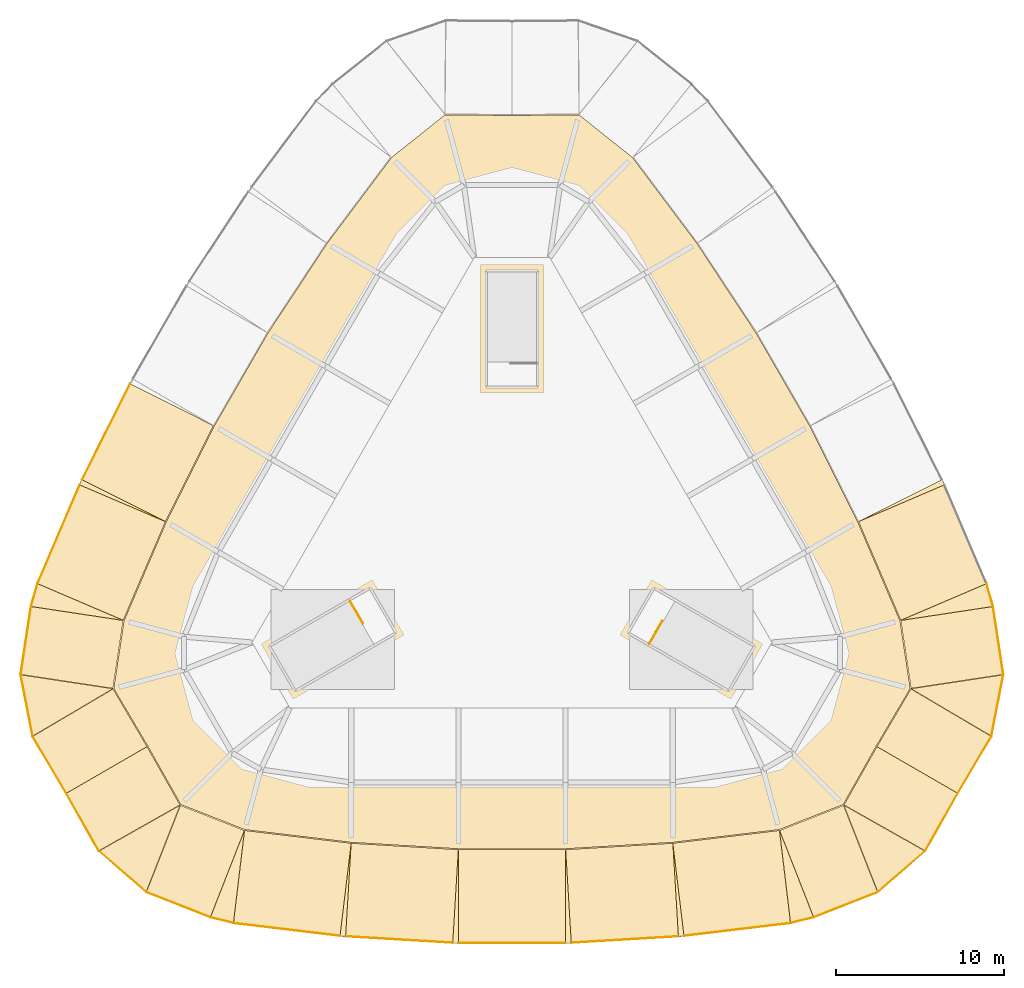
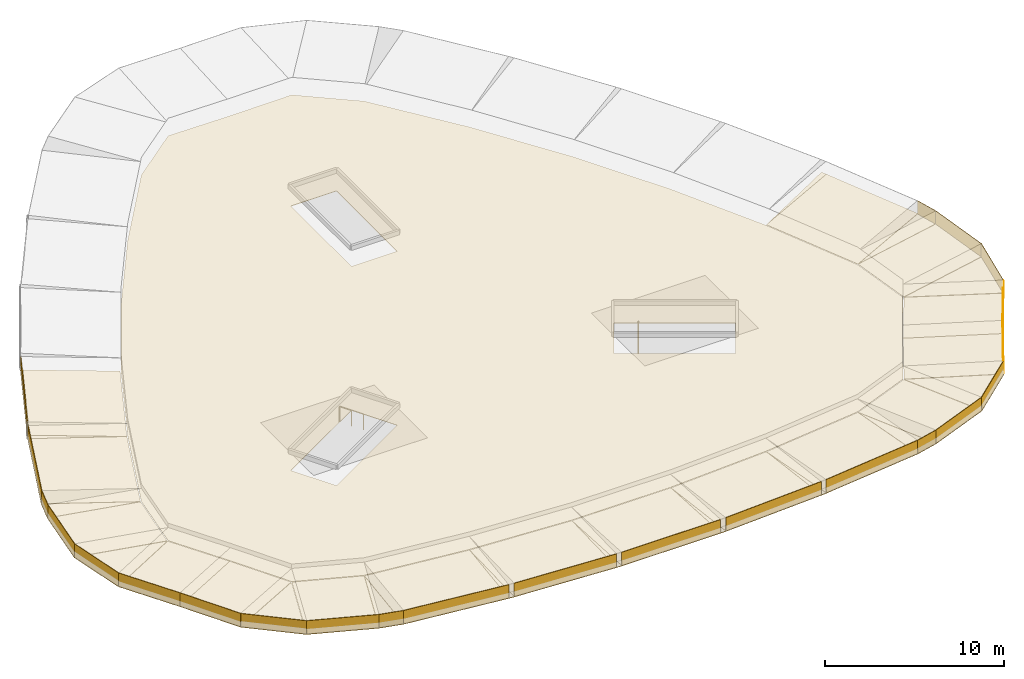
# One storey, part 4 of 9: 54 coverings, 2 railings.
"""IFC4 building model written with IfcOpenShell, lengths in metres."""

from ifc_helpers import new_model, si_unit, direction, frame, origin, origin_2d, place, context, subcontext, project, spatial, polyline, rectangle, circle, outline, extrude, material, layer, layer_set, type_object, element, save


model = new_model("IFC4")

# Units and contexts
model_context = context("Model", 3, precision=1e-05, world=origin(), true_north=direction((0.0, 1.0)))
body_context = subcontext(model_context, "Body", "Model", "MODEL_VIEW")
ifc_project = project(units=[si_unit("LENGTHUNIT", "METRE"), si_unit("AREAUNIT", "SQUARE_METRE"), si_unit("VOLUMEUNIT", "CUBIC_METRE"), si_unit("PLANEANGLEUNIT", "RADIAN"), si_unit("MASSUNIT", "GRAM", prefix="KILO")], contexts=[model_context])

# Site, building, storey
site_placement = place(None, origin())
site = spatial("IfcSite", under=ifc_project, at=site_placement, CompositionType="ELEMENT")
building_placement = place(site_placement, origin())
building = spatial("IfcBuilding", under=site, at=building_placement, Name="Mestral Congress Tower", CompositionType="ELEMENT")
storey_placement = place(building_placement, frame((0.0, 0.0, 348.60009765625)))
storey = spatial("IfcBuildingStorey", under=building, at=storey_placement, Name="L81", CompositionType="ELEMENT", Elevation=348.60009765625)

# Coverings
ifc_material_1 = material(Name="Larch timber", Category="wood")
ifc_layer_1 = layer(ifc_material_1, 0.030029296875)
ifc_layer_set_1 = layer_set([ifc_layer_1], Name="Larch timber")
covering_type_1 = type_object("IfcCoveringType", Name="Crown canopy timber fascia 30", PredefinedType="CLADDING", material=ifc_layer_set_1)
covering_1_placement = place(storey_placement, frame((-17.2998046875, -22.913330078125, 0.320068359375), z_axis=(0.0, 0.0, 1.0), x_axis=(0.969772440315, -0.244011094022, 0.0)))
element("IfcCovering", 1, at=covering_1_placement, inside=storey, type_object=covering_type_1, Name="Canopy fascia 1", PredefinedType="CLADDING", context=body_context, shape_type="SweptSolid", body=[
    extrude(rectangle(XDim=1.42041015625, YDim=0.030029296875, at=origin_2d()), origin(), (0.0, 0.0, 1.0), 0.89990234375),
])
covering_2_placement = place(storey_placement, frame((-13.432373046875, -23.468017578125, 0.320068359375), z_axis=(0.0, 0.0, 1.0), x_axis=(0.992888215789, -0.119050371472, 0.0)))
element("IfcCovering", 2, at=covering_2_placement, inside=storey, type_object=covering_type_1, Name="Canopy fascia 2", PredefinedType="CLADDING", context=body_context, shape_type="SweptSolid", body=[
    extrude(rectangle(XDim=6.39892578125, YDim=0.030029296875, at=origin_2d()), origin(), (0.0, 0.0, 1.0), 0.89990234375),
])
covering_3_placement = place(storey_placement, frame((-6.72802734375, -24.069580078125, 0.320068359375), z_axis=(0.0, 0.0, 1.0), x_axis=(0.998221251071, -0.05961823471, 0.0)))
element("IfcCovering", 3, at=covering_3_placement, inside=storey, type_object=covering_type_1, Name="Canopy fascia 4", PredefinedType="CLADDING", context=body_context, shape_type="SweptSolid", body=[
    extrude(rectangle(XDim=6.399169921875, YDim=0.030029296875, at=origin_2d()), origin(), (0.0, 0.0, 1.0), 0.89990234375),
])
covering_4_placement = place(storey_placement, frame((0.0, -24.270263671875, 0.320068359375), z_axis=(0.0, 0.0, 1.0), x_axis=(1.0, 0.0, 0.0)))
element("IfcCovering", 4, at=covering_4_placement, inside=storey, type_object=covering_type_1, Name="Canopy fascia 6", PredefinedType="CLADDING", context=body_context, shape_type="SweptSolid", body=[
    extrude(rectangle(XDim=6.39892578125, YDim=0.030029296875, at=origin_2d()), origin(), (0.0, 0.0, 1.0), 0.89990234375),
])
covering_5_placement = place(storey_placement, frame((6.72802734375, -24.069580078125, 0.320068359375), z_axis=(0.0, 0.0, 1.0), x_axis=(0.998221251071, 0.05961823471, 0.0)))
element("IfcCovering", 5, at=covering_5_placement, inside=storey, type_object=covering_type_1, Name="Canopy fascia 8", PredefinedType="CLADDING", context=body_context, shape_type="SweptSolid", body=[
    extrude(rectangle(XDim=6.399169921875, YDim=0.030029296875, at=origin_2d()), origin(), (0.0, 0.0, 1.0), 0.89990234375),
])
covering_6_placement = place(storey_placement, frame((13.432373046875, -23.468017578125, 0.320068359375), z_axis=(0.0, 0.0, 1.0), x_axis=(0.992888215789, 0.119050371472, 0.0)))
element("IfcCovering", 6, at=covering_6_placement, inside=storey, type_object=covering_type_1, Name="Canopy fascia 10", PredefinedType="CLADDING", context=body_context, shape_type="SweptSolid", body=[
    extrude(rectangle(XDim=6.39892578125, YDim=0.030029296875, at=origin_2d()), origin(), (0.0, 0.0, 1.0), 0.89990234375),
])
covering_7_placement = place(storey_placement, frame((17.2998046875, -22.913330078125, 0.320068359375), z_axis=(0.0, 0.0, 1.0), x_axis=(0.969772440315, 0.244011094022, 0.0)))
element("IfcCovering", 7, at=covering_7_placement, inside=storey, type_object=covering_type_1, Name="Canopy fascia 11", PredefinedType="CLADDING", context=body_context, shape_type="SweptSolid", body=[
    extrude(rectangle(XDim=1.42041015625, YDim=0.030029296875, at=origin_2d()), origin(), (0.0, 0.0, 1.0), 0.89990234375),
])
covering_8_placement = place(storey_placement, frame((19.897216796875, -21.99169921875, 0.320068359375), z_axis=(0.0, 0.0, 1.0), x_axis=(0.930995304203, 0.365031154222, 0.0)))
element("IfcCovering", 8, at=covering_8_placement, inside=storey, type_object=covering_type_1, Name="Canopy fascia 12", PredefinedType="CLADDING", context=body_context, shape_type="SweptSolid", body=[
    extrude(rectangle(XDim=4.096435546875, YDim=0.030029296875, at=origin_2d()), origin(), (0.0, 0.0, 1.0), 0.89990234375),
])
covering_9_placement = place(storey_placement, frame((23.224365234375, -20.011474609375, 0.320068359375), z_axis=(0.0, 0.0, 1.0), x_axis=(0.754961433164, 0.655769192959, 0.0)))
element("IfcCovering", 9, at=covering_9_placement, inside=storey, type_object=covering_type_1, Name="Canopy fascia 13", PredefinedType="CLADDING", context=body_context, shape_type="SweptSolid", body=[
    extrude(rectangle(XDim=3.751220703125, YDim=0.030029296875, at=origin_2d()), origin(), (0.0, 0.0, 1.0), 0.89990234375),
])
for number, where, z_axis, x_axis, name in (
    (10, (25.612548828125, -17.06201171875, 0.320068359375), (0.0, 0.0, 1.0), (0.491715516632, 0.870755907647, 0.0), "Canopy fascia 14"),
    (11, (27.58251953125, -13.64990234375, 0.320068359375), (0.0, 0.0, 1.0), (0.508240481307, 0.861215195617, 0.0), "Canopy fascia 16"),
):
    element("IfcCovering", number, at=place(storey_placement, frame(where, z_axis=z_axis, x_axis=x_axis)), inside=storey, type_object=covering_type_1, Name=name, PredefinedType="CLADDING", context=body_context, shape_type="SweptSolid", body=[
        extrude(rectangle(XDim=3.940185546875, YDim=0.030029296875, at=origin_2d()), origin(), (0.0, 0.0, 1.0), 0.89990234375),
    ])
covering_10_placement = place(storey_placement, frame((28.942626953125, -10.107177734375, 0.320068359375), z_axis=(0.0, 0.0, 1.0), x_axis=(0.19043206354, 0.981700376478, 0.0)))
element("IfcCovering", 12, at=covering_10_placement, inside=storey, type_object=covering_type_1, Name="Canopy fascia 17", PredefinedType="CLADDING", context=body_context, shape_type="SweptSolid", body=[
    extrude(rectangle(XDim=3.751220703125, YDim=0.030029296875, at=origin_2d()), origin(), (0.0, 0.0, 1.0), 0.89990234375),
])
covering_11_placement = place(storey_placement, frame((28.994140625, -6.235595703125, 0.320068359375), z_axis=(0.0, 0.0, 1.0), x_axis=(-0.149376576617, 0.988780379234, 0.0)))
element("IfcCovering", 13, at=covering_11_placement, inside=storey, type_object=covering_type_1, Name="Canopy fascia 18", PredefinedType="CLADDING", context=body_context, shape_type="SweptSolid", body=[
    extrude(rectangle(XDim=4.096435546875, YDim=0.030029296875, at=origin_2d()), origin(), (0.0, 0.0, 1.0), 0.89990234375),
])
covering_12_placement = place(storey_placement, frame((28.493408203125, -3.525390625, 0.320068359375), z_axis=(0.0, 0.0, 1.0), x_axis=(-0.273574807671, 0.96185072886, 0.0)))
element("IfcCovering", 14, at=covering_12_placement, inside=storey, type_object=covering_type_1, Name="Canopy fascia 19", PredefinedType="CLADDING", context=body_context, shape_type="SweptSolid", body=[
    extrude(rectangle(XDim=1.42041015625, YDim=0.030029296875, at=origin_2d()), origin(), (0.0, 0.0, 1.0), 0.89990234375),
])
for number, where, z_axis, x_axis, name in (
    (15, (-24.208984375, 6.2080078125, 0.320068359375), (0.0, 0.0, 1.0), (-0.447464111303, -0.894301889239, 0.0), "Canopy fascia 44"),
    (16, (-27.039794921875, 0.101318359375, 0.320068359375), (0.0, 0.0, 1.0), (-0.393354694328, -0.919386798062, 0.0), "Canopy fascia 46"),
):
    element("IfcCovering", number, at=place(storey_placement, frame(where, z_axis=z_axis, x_axis=x_axis)), inside=storey, type_object=covering_type_1, Name=name, PredefinedType="CLADDING", context=body_context, shape_type="SweptSolid", body=[
        extrude(rectangle(XDim=6.39892578125, YDim=0.030029296875, at=origin_2d()), origin(), (0.0, 0.0, 1.0), 0.89990234375),
    ])
covering_13_placement = place(storey_placement, frame((-28.493408203125, -3.525390625, 0.320068359375), z_axis=(0.0, 0.0, 1.0), x_axis=(-0.273574807671, -0.96185072886, 0.0)))
element("IfcCovering", 17, at=covering_13_placement, inside=storey, type_object=covering_type_1, Name="Canopy fascia 47", PredefinedType="CLADDING", context=body_context, shape_type="SweptSolid", body=[
    extrude(rectangle(XDim=1.42041015625, YDim=0.030029296875, at=origin_2d()), origin(), (0.0, 0.0, 1.0), 0.89990234375),
])
covering_14_placement = place(storey_placement, frame((-28.994140625, -6.235595703125, 0.320068359375), z_axis=(0.0, 0.0, 1.0), x_axis=(-0.149376576617, -0.988780379234, 0.0)))
element("IfcCovering", 18, at=covering_14_placement, inside=storey, type_object=covering_type_1, Name="Canopy fascia 48", PredefinedType="CLADDING", context=body_context, shape_type="SweptSolid", body=[
    extrude(rectangle(XDim=4.096435546875, YDim=0.030029296875, at=origin_2d()), origin(), (0.0, 0.0, 1.0), 0.89990234375),
])
covering_15_placement = place(storey_placement, frame((-28.942626953125, -10.107177734375, 0.320068359375), z_axis=(0.0, 0.0, 1.0), x_axis=(0.19043206354, -0.981700376478, 0.0)))
element("IfcCovering", 19, at=covering_15_placement, inside=storey, type_object=covering_type_1, Name="Canopy fascia 49", PredefinedType="CLADDING", context=body_context, shape_type="SweptSolid", body=[
    extrude(rectangle(XDim=3.751220703125, YDim=0.030029296875, at=origin_2d()), origin(), (0.0, 0.0, 1.0), 0.89990234375),
])
for number, where, z_axis, x_axis, name in (
    (20, (-27.58251953125, -13.64990234375, 0.320068359375), (0.0, 0.0, 1.0), (0.508240481307, -0.861215195617, 0.0), "Canopy fascia 50"),
    (21, (-25.612548828125, -17.06201171875, 0.320068359375), (0.0, 0.0, 1.0), (0.491715516632, -0.870755907647, 0.0), "Canopy fascia 52"),
):
    element("IfcCovering", number, at=place(storey_placement, frame(where, z_axis=z_axis, x_axis=x_axis)), inside=storey, type_object=covering_type_1, Name=name, PredefinedType="CLADDING", context=body_context, shape_type="SweptSolid", body=[
        extrude(rectangle(XDim=3.940185546875, YDim=0.030029296875, at=origin_2d()), origin(), (0.0, 0.0, 1.0), 0.89990234375),
    ])
covering_16_placement = place(storey_placement, frame((-23.224365234375, -20.011474609375, 0.320068359375), z_axis=(0.0, 0.0, 1.0), x_axis=(0.754961433164, -0.655769192959, 0.0)))
element("IfcCovering", 22, at=covering_16_placement, inside=storey, type_object=covering_type_1, Name="Canopy fascia 53", PredefinedType="CLADDING", context=body_context, shape_type="SweptSolid", body=[
    extrude(rectangle(XDim=3.751220703125, YDim=0.030029296875, at=origin_2d()), origin(), (0.0, 0.0, 1.0), 0.89990234375),
])
covering_17_placement = place(storey_placement, frame((-19.897216796875, -21.99169921875, 0.320068359375), z_axis=(0.0, 0.0, 1.0), x_axis=(0.930995304203, -0.365031154222, 0.0)))
element("IfcCovering", 23, at=covering_17_placement, inside=storey, type_object=covering_type_1, Name="Canopy fascia 54", PredefinedType="CLADDING", context=body_context, shape_type="SweptSolid", body=[
    extrude(rectangle(XDim=4.096435546875, YDim=0.030029296875, at=origin_2d()), origin(), (0.0, 0.0, 1.0), 0.89990234375),
])
ifc_layer_2 = layer(ifc_material_1, 0.030029296875)
ifc_layer_set_2 = layer_set([ifc_layer_2], Name="Larch timber")
covering_type_2 = type_object("IfcCoveringType", Name="Crown canopy timber soffit 30", PredefinedType="CLADDING", material=ifc_layer_set_2)
covering_18_placement = place(storey_placement, frame((0.0, 0.0, -0.030029296875)))
element("IfcCovering", 24, at=covering_18_placement, inside=storey, type_object=covering_type_2, Name="Canopy soffit centre", PredefinedType="CLADDING", context=body_context, shape_type="SweptSolid", body=[
    extrude(outline(polyline([(-15.940673828125, -17.511962890625), (-9.587158203125, -18.273681640625), (-3.199462890625, -18.6552734375), (3.199462890625, -18.6552734375), (9.587158203125, -18.273681640625), (15.940673828125, -17.511962890625), (19.75439453125, -16.0166015625), (21.71826171875, -12.5390625), (23.748046875, -9.099609375), (23.135986328125, -5.049072265625), (20.618896484375, 0.833984375), (17.755615234375, 6.556640625), (14.55615234375, 12.098388671875), (11.031982421875, 17.439697265625), (7.1953125, 22.56103515625), (3.993408203125, 25.1162109375), (0.0, 25.078125), (-3.993408203125, 25.1162109375), (-7.1953125, 22.56103515625), (-11.031982421875, 17.439697265625), (-14.55615234375, 12.098388671875), (-17.755615234375, 6.556640625), (-20.618896484375, 0.833984375), (-23.135986328125, -5.049072265625), (-23.748046875, -9.099609375), (-21.71826171875, -12.5390625), (-19.75439453125, -16.0166015625), (-15.940673828125, -17.511962890625)]), holes=[polyline([(7.013427734375, -5.75244140625), (12.90234375, -9.15234375), (14.37744140625, -6.59765625), (8.48828125, -3.197509765625), (7.013427734375, -5.75244140625)]), polyline([(1.47509765625, 8.949951171875), (1.47509765625, 15.75), (-1.47509765625, 15.75), (-1.47509765625, 8.949951171875), (1.47509765625, 8.949951171875)]), polyline([(-8.48828125, -3.197509765625), (-14.37744140625, -6.59765625), (-12.90234375, -9.15234375), (-7.013427734375, -5.75244140625), (-8.48828125, -3.197509765625)])]), origin(), (0.0, 0.0, 1.0), 0.030029296875),
])
covering_19_placement = place(storey_placement, frame((-15.94677734375, -17.56298828125, 0.00146484375), z_axis=(0.00678836671, 0.056612868218, 0.998373127257), x_axis=(0.992889823696, -0.119036960649, -1.078214e-06)))
element("IfcCovering", 25, at=covering_19_placement, inside=storey, type_object=covering_type_2, Name="Canopy soffit facet 1", PredefinedType="CLADDING", context=body_context, shape_type="SweptSolid", body=[
    extrude(outline(polyline([(0.0, 0.0), (6.399013693622866, 0.0), (6.398887535858601, -5.609260822144504), (-0.00015521952223441902, -5.609018811762272), (0.0, 0.0)])), origin(), (0.0, 0.0, -1.0), 0.030029296875),
])
covering_20_placement = place(storey_placement, frame((-9.59033203125, -18.324951171875, 0.00146484375), z_axis=(0.003399110124, 0.05691796306, 0.998373072319), x_axis=(0.998220416885, -0.059632200309, 1.084013e-06)))
element("IfcCovering", 26, at=covering_20_placement, inside=storey, type_object=covering_type_2, Name="Canopy soffit facet 2", PredefinedType="CLADDING", context=body_context, shape_type="SweptSolid", body=[
    extrude(outline(polyline([(0.0, 0.0), (6.399083036242653, -5.551115123125783e-17), (6.399271749241779, -5.608923532077517), (0.00020327164177920087, -5.609166841740791), (0.0, 0.0)])), origin(), (0.0, 0.0, -1.0), 0.030029296875),
])
covering_21_placement = place(storey_placement, frame((-3.199462890625, -18.70654296875, 0.00146484375), z_axis=(0.0, 0.057020040742, 0.998373033968), x_axis=(1.0, 0.0, 0.0)))
element("IfcCovering", 27, at=covering_21_placement, inside=storey, type_object=covering_type_2, Name="Canopy soffit facet 3", PredefinedType="CLADDING", context=body_context, shape_type="SweptSolid", body=[
    extrude(outline(polyline([(0.0, 0.0), (6.39892578125, 0.0), (6.39892578125, -5.608979134152375), (0.0, -5.608979134152375), (0.0, 0.0)])), origin(), (0.0, 0.0, -1.0), 0.030029296875),
])
covering_22_placement = place(storey_placement, frame((3.20263671875, -18.70654296875, 0.00146484375), z_axis=(-0.003399110124, 0.05691796306, 0.998373072319), x_axis=(0.998220416885, 0.059632200309, -1.084013e-06)))
element("IfcCovering", 28, at=covering_22_placement, inside=storey, type_object=covering_type_2, Name="Canopy soffit facet 4", PredefinedType="CLADDING", context=body_context, shape_type="SweptSolid", body=[
    extrude(outline(polyline([(0.0, 0.0), (6.399083036242653, 5.551115123125783e-17), (6.398879764600874, -5.60916684174079), (-0.00018871299912571703, -5.608923532077517), (0.0, 0.0)])), origin(), (0.0, 0.0, -1.0), 0.030029296875),
])
covering_23_placement = place(storey_placement, frame((9.59326171875, -18.32470703125, 0.00146484375), z_axis=(-0.00678836671, 0.056612868218, 0.998373127257), x_axis=(0.992889823696, 0.119036960649, 1.078214e-06)))
element("IfcCovering", 29, at=covering_23_placement, inside=storey, type_object=covering_type_2, Name="Canopy soffit facet 5", PredefinedType="CLADDING", context=body_context, shape_type="SweptSolid", body=[
    extrude(outline(polyline([(0.0, 0.0), (6.399013693622866, 0.0), (6.3991689131451, -5.6090188117622715), (0.00012615776426362488, -5.609260822144504), (0.0, 0.0)])), origin(), (0.0, 0.0, -1.0), 0.030029296875),
])
covering_24_placement = place(storey_placement, frame((15.95947265625, -17.559814453125, 0.00146484375), z_axis=(-0.020812922035, 0.053084930215, 0.9983730828), x_axis=(0.930991103944, 0.365041866605, -1.579322e-06)))
element("IfcCovering", 30, at=covering_24_placement, inside=storey, type_object=covering_type_2, Name="Canopy soffit facet 6", PredefinedType="CLADDING", context=body_context, shape_type="SweptSolid", body=[
    extrude(outline(polyline([(0.0, 0.0), (4.096409538004473, 0.0), (4.096340539731495, -5.6091767061904845), (2.012327648568444e-05, -5.6089497832350075), (0.0, 0.0)])), origin(), (0.0, 0.0, -1.0), 0.030029296875),
])
covering_25_placement = place(storey_placement, frame((19.799072265625, -16.041748046875, 0.00146484375), z_axis=(-0.049648705114, 0.02803782407, 0.998373119882), x_axis=(0.491734919189, 0.870744950747, 2.08597e-07)))
element("IfcCovering", 31, at=covering_25_placement, inside=storey, type_object=covering_type_2, Name="Canopy soffit facet 7", PredefinedType="CLADDING", context=body_context, shape_type="SweptSolid", body=[
    extrude(outline(polyline([(0.0, 0.0), (3.993751652438074, 2.220446049250313e-16), (3.9402530825849307, -5.6091126987940685), (7.068231115168532e-05, -5.609141724372348), (0.0, 0.0)])), origin(), (0.0, 0.0, -1.0), 0.030029296875),
])
covering_26_placement = place(storey_placement, frame((21.762451171875, -12.565185546875, 0.00146484375), z_axis=(-0.049106324741, 0.028978854755, 0.99837307398), x_axis=(0.508216461793, 0.861229370123, -7.99517e-07)))
element("IfcCovering", 32, at=covering_26_placement, inside=storey, type_object=covering_type_2, Name="Canopy soffit facet 8", PredefinedType="CLADDING", context=body_context, shape_type="SweptSolid", body=[
    extrude(outline(polyline([(0.0, 0.0), (3.9939385397963636, 0.0), (3.993717578369061, -5.609104049964295), (0.05329084965966366, -5.60899279542555), (0.0, 0.0)])), origin(), (0.0, 0.0, -1.0), 0.030029296875),
])
covering_27_placement = place(storey_placement, frame((23.798828125, -9.091796875, 0.00146484375), z_axis=(-0.056379548691, -0.008516147736, 0.998373087436), x_axis=(-0.14936042802, 0.988782818693, -2.53373e-07)))
element("IfcCovering", 33, at=covering_27_placement, inside=storey, type_object=covering_type_2, Name="Canopy soffit facet 9", PredefinedType="CLADDING", context=body_context, shape_type="SweptSolid", body=[
    extrude(outline(polyline([(0.0, 0.0), (4.09624125847847, 2.220446049250313e-16), (4.096500994866828, -5.6090894316562805), (1.833433301353432e-05, -5.609053026029829), (0.0, 0.0)])), origin(), (0.0, 0.0, -1.0), 0.030029296875),
])
covering_28_placement = place(storey_placement, frame((23.183349609375, -5.02880859375, 0.00146484375), z_axis=(-0.052423298491, -0.022429057265, 0.99837304409), x_axis=(-0.393362031862, 0.919383658703, -4.27177e-07)))
element("IfcCovering", 34, at=covering_28_placement, inside=storey, type_object=covering_type_2, Name="Canopy soffit facet 10", PredefinedType="CLADDING", context=body_context, shape_type="SweptSolid", body=[
    extrude(outline(polyline([(0.0, 0.0), (6.398913713928623, -4.440892098500626e-16), (6.399006405571951, -5.6090445081410065), (-0.00013176725772280328, -5.608948628729001), (0.0, 0.0)])), origin(), (0.0, 0.0, -1.0), 0.030029296875),
])
covering_29_placement = place(storey_placement, frame((-17.801513671875, 6.57958984375, 0.00146484375), z_axis=(0.050990308642, -0.025513101378, 0.998373211821), x_axis=(-0.447473000757, -0.894297441343, 4.85925e-07)))
element("IfcCovering", 35, at=covering_29_placement, inside=storey, type_object=covering_type_2, Name="Canopy soffit facet 22", PredefinedType="CLADDING", context=body_context, shape_type="SweptSolid", body=[
    extrude(outline(polyline([(0.0, 0.0), (6.398779560675106, 4.440892098500626e-16), (6.399093802271043, -5.609230949991542), (9.590725967170334e-05, -5.609340018615015), (0.0, 0.0)])), origin(), (0.0, 0.0, -1.0), 0.030029296875),
])
covering_30_placement = place(storey_placement, frame((-20.666259765625, 0.854248046875, 0.00146484375), z_axis=(0.052423298491, -0.022429057265, 0.99837304409), x_axis=(-0.393362031862, -0.919383658703, 4.27177e-07)))
element("IfcCovering", 36, at=covering_30_placement, inside=storey, type_object=covering_type_2, Name="Canopy soffit facet 23", PredefinedType="CLADDING", context=body_context, shape_type="SweptSolid", body=[
    extrude(outline(polyline([(0.0, 0.0), (6.398913713928623, 4.440892098500626e-16), (6.399045481186348, -5.608948628729), (-9.269164332746962e-05, -5.609044508141006), (0.0, 0.0)])), origin(), (0.0, 0.0, -1.0), 0.030029296875),
])
covering_31_placement = place(storey_placement, frame((-23.18701171875, -5.04150390625, 0.00146484375), z_axis=(0.056379548691, -0.008516147736, 0.998373087436), x_axis=(-0.14936042802, -0.988782818693, 2.53373e-07)))
element("IfcCovering", 37, at=covering_31_placement, inside=storey, type_object=covering_type_2, Name="Canopy soffit facet 24", PredefinedType="CLADDING", context=body_context, shape_type="SweptSolid", body=[
    extrude(outline(polyline([(0.0, 0.0), (4.09624125847847, -2.220446049250313e-16), (4.096222924145456, -5.609053026029829), (-0.00025973638835837583, -5.609089431656281), (0.0, 0.0)])), origin(), (0.0, 0.0, -1.0), 0.030029296875),
])
covering_32_placement = place(storey_placement, frame((-23.792236328125, -9.12548828125, 0.00146484375), z_axis=(0.049106324741, 0.028978854755, 0.99837307398), x_axis=(0.508216461793, -0.861229370123, 7.99517e-07)))
element("IfcCovering", 38, at=covering_32_placement, inside=storey, type_object=covering_type_2, Name="Canopy soffit facet 25", PredefinedType="CLADDING", context=body_context, shape_type="SweptSolid", body=[
    extrude(outline(polyline([(0.0, 0.0), (3.9939385397963636, 0.0), (3.9406476901367, -5.60899279542555), (0.0002209614273031312, -5.609104049964294), (0.0, 0.0)])), origin(), (0.0, 0.0, -1.0), 0.030029296875),
])
covering_33_placement = place(storey_placement, frame((-21.762939453125, -12.564208984375, 0.00146484375), z_axis=(0.049648705114, 0.02803782407, 0.998373119882), x_axis=(0.491734919189, -0.870744950747, -2.08597e-07)))
element("IfcCovering", 39, at=covering_33_placement, inside=storey, type_object=covering_type_2, Name="Canopy soffit facet 26", PredefinedType="CLADDING", context=body_context, shape_type="SweptSolid", body=[
    extrude(outline(polyline([(0.0, 0.0), (3.993751652438074, -2.220446049250313e-16), (3.993680970126922, -5.609141724372349), (0.05349856985314307, -5.609112698794069), (0.0, 0.0)])), origin(), (0.0, 0.0, -1.0), 0.030029296875),
])
covering_34_placement = place(storey_placement, frame((-19.773193359375, -16.064453125, 0.00146484375), z_axis=(0.020812922035, 0.053084930215, 0.9983730828), x_axis=(0.930991103944, -0.365041866605, 1.579322e-06)))
element("IfcCovering", 40, at=covering_34_placement, inside=storey, type_object=covering_type_2, Name="Canopy soffit facet 27", PredefinedType="CLADDING", context=body_context, shape_type="SweptSolid", body=[
    extrude(outline(polyline([(0.0, 0.0), (4.096409538004473, 0.0), (4.096389414727987, -5.6089497832350075), (6.899827297814866e-05, -5.6091767061904845), (0.0, 0.0)])), origin(), (0.0, 0.0, -1.0), 0.030029296875),
])
covering_35_placement = place(storey_placement, frame((-15.953369140625, -17.56201171875, 0.00146484375), z_axis=(0.014029314184, 0.055741824386, 0.998346646891), x_axis=(-0.364436629481, -0.929480977257, 0.057018032321)))
element("IfcCovering", 41, at=covering_35_placement, inside=storey, type_object=covering_type_2, Name="Canopy soffit corner 1", PredefinedType="CLADDING", context=body_context, shape_type="SweptSolid", body=[
    extrude(outline(polyline([(0.0, 0.0), (5.609176706618601, 2.2985086056692694e-16), (5.429418777949542, 1.408977899208389), (0.0, 0.0)])), origin(), (0.0, 0.0, -1.0), 0.030029296875),
])
covering_36_placement = place(storey_placement, frame((-9.591796875, -18.324951171875, 0.00146484375), z_axis=(0.005085708384, 0.056818201045, 0.998371587937), x_axis=(-0.118870709654, -0.991271161358, 0.057019637366)))
element("IfcCovering", 42, at=covering_36_placement, inside=storey, type_object=covering_type_2, Name="Canopy soffit corner 2", PredefinedType="CLADDING", context=body_context, shape_type="SweptSolid", body=[
    extrude(outline(polyline([(0.0, 0.0), (5.60901881391424, -8.229094489164979e-17), (5.598988126518426, 0.3339434116178026), (0.0, 0.0)])), origin(), (0.0, 0.0, -1.0), 0.030029296875),
])
covering_37_placement = place(storey_placement, frame((-3.200927734375, -18.70654296875, 0.00146484375), z_axis=(0.001667250336, 0.057019961492, 0.998371646366), x_axis=(-0.059542445245, -0.996596029803, 0.057017984847)))
element("IfcCovering", 43, at=covering_37_placement, inside=storey, type_object=covering_type_2, Name="Canopy soffit corner 3", PredefinedType="CLADDING", context=body_context, shape_type="SweptSolid", body=[
    extrude(outline(polyline([(0.0, 0.0), (5.609181376863781, -4.336808689942018e-17), (5.599027513606269, 0.3339727971507994), (0.0, 0.0)])), origin(), (0.0, 0.0, -1.0), 0.030029296875),
])
covering_38_placement = place(storey_placement, frame((3.200927734375, -18.70654296875, 0.00146484375), z_axis=(-0.001667250336, 0.057019961492, 0.998371646366), x_axis=(0.0, -0.998373033968, 0.057020040742)))
element("IfcCovering", 44, at=covering_38_placement, inside=storey, type_object=covering_type_2, Name="Canopy soffit corner 4", PredefinedType="CLADDING", context=body_context, shape_type="SweptSolid", body=[
    extrude(outline(polyline([(0.0, 0.0), (5.608979134152374, 1.0842021724855044e-19), (5.599229397492534, 0.33398483919310623), (0.0, 0.0)])), origin(), (0.0, 0.0, -1.0), 0.030029296875),
])
covering_39_placement = place(storey_placement, frame((9.591796875, -18.324951171875, 0.00146484375), z_axis=(-0.005085708384, 0.056818201045, 0.998371587937), x_axis=(0.05954502813, -0.996595733971, 0.057020458224)))
element("IfcCovering", 45, at=covering_39_placement, inside=storey, type_object=covering_type_2, Name="Canopy soffit corner 5", PredefinedType="CLADDING", context=body_context, shape_type="SweptSolid", body=[
    extrude(outline(polyline([(0.0, 0.0), (5.6089380673223035, -3.176712365382528e-17), (5.5990687298704485, 0.33394821908617967), (0.0, 0.0)])), origin(), (0.0, 0.0, -1.0), 0.030029296875),
])
covering_40_placement = place(storey_placement, frame((15.953369140625, -17.56201171875, 0.00146484375), z_axis=(-0.014029314184, 0.055741824386, 0.998346646891), x_axis=(0.118865581018, -0.991271917864, 0.057017177273)))
element("IfcCovering", 46, at=covering_40_placement, inside=storey, type_object=covering_type_2, Name="Canopy soffit corner 6", PredefinedType="CLADDING", context=body_context, shape_type="SweptSolid", body=[
    extrude(outline(polyline([(0.0, 0.0), (5.6092608235674675, -3.5128150388530344e-17), (5.429337357927175, 1.4089567700568606), (0.0, 0.0)])), origin(), (0.0, 0.0, -1.0), 0.030029296875),
])
covering_41_placement = place(storey_placement, frame((19.7900390625, -16.0576171875, 0.001708984375), z_axis=(-0.039672251753, 0.045676636818, 0.998168200901), x_axis=(0.364436629481, -0.929480977257, 0.057018032321)))
element("IfcCovering", 47, at=covering_41_placement, inside=storey, type_object=covering_type_2, Name="Canopy soffit corner 7", PredefinedType="CLADDING", context=body_context, shape_type="SweptSolid", body=[
    extrude(outline(polyline([(0.0, 0.0), (5.609176706618601, -3.1138286393783687e-16), (4.354874707539237, 3.5355223372892706), (0.0, 0.0)])), origin(), (0.0, 0.0, -1.0), 0.030029296875),
])
covering_42_placement = place(storey_placement, frame((23.801513671875, -9.10986328125, 0.001708984375), z_axis=(-0.05939473321, 0.011521412714, 0.998168083399), x_axis=(0.859808243803, -0.507423534791, 0.057018770851)))
element("IfcCovering", 48, at=covering_42_placement, inside=storey, type_object=covering_type_2, Name="Canopy soffit corner 9", PredefinedType="CLADDING", context=body_context, shape_type="SweptSolid", body=[
    extrude(outline(polyline([(0.0, 0.0), (5.609104054317412, -1.8127860323957634e-16), (4.354666144792449, 3.535301771638468), (0.0, 0.0)])), origin(), (0.0, 0.0, -1.0), 0.030029296875),
])
covering_43_placement = place(storey_placement, frame((23.185791015625, -5.034912109375, 0.00146484375), z_axis=(-0.055286718878, -0.015725648821, 0.9983466746), x_axis=(0.987174764006, 0.149114269278, 0.057016839683)))
element("IfcCovering", 49, at=covering_43_placement, inside=storey, type_object=covering_type_2, Name="Canopy soffit corner 10", PredefinedType="CLADDING", context=body_context, shape_type="SweptSolid", body=[
    extrude(outline(polyline([(0.0, 0.0), (5.609294035388346, 2.2985086056692694e-17), (5.4293649193846765, 1.4092163851459272), (0.0, 0.0)])), origin(), (0.0, 0.0, -1.0), 0.030029296875),
])
covering_44_placement = place(storey_placement, frame((20.66552734375, 0.855712890625, 0.00146484375), z_axis=(-0.051741482279, -0.024015385812, 0.998371714471), x_axis=(0.917888232149, 0.392721585598, 0.057017098208)))
element("IfcCovering", 50, at=covering_44_placement, inside=storey, type_object=covering_type_2, Name="Canopy soffit corner 11", PredefinedType="CLADDING", context=body_context, shape_type="SweptSolid", body=[
    extrude(outline(polyline([(0.0, 0.0), (5.609268601877497, -4.084189583752895e-16), (5.599176772289985, 0.3338705236029454), (0.0, 0.0)])), origin(), (0.0, 0.0, -1.0), 0.030029296875),
])
covering_45_placement = place(storey_placement, frame((-20.66552734375, 0.855712890625, 0.00146484375), z_axis=(0.051741482279, -0.024015385812, 0.998371714471), x_axis=(-0.892841447444, 0.44674716602, 0.057018588025)))
element("IfcCovering", 51, at=covering_45_placement, inside=storey, type_object=covering_type_2, Name="Canopy soffit corner 23", PredefinedType="CLADDING", context=body_context, shape_type="SweptSolid", body=[
    extrude(outline(polyline([(0.0, 0.0), (5.6091220394891215, -2.050226308170089e-16), (5.599323074815569, 0.33387924740339114), (0.0, 0.0)])), origin(), (0.0, 0.0, -1.0), 0.030029296875),
])
covering_46_placement = place(storey_placement, frame((-23.185791015625, -5.034912109375, 0.00146484375), z_axis=(0.055286718878, -0.015725648821, 0.9983466746), x_axis=(-0.917888232149, 0.392721585598, 0.057017098208)))
element("IfcCovering", 52, at=covering_46_placement, inside=storey, type_object=covering_type_2, Name="Canopy soffit corner 24", PredefinedType="CLADDING", context=body_context, shape_type="SweptSolid", body=[
    extrude(outline(polyline([(0.0, 0.0), (5.609268601877497, -5.204170427930421e-18), (5.429389537177366, 1.4092227748061061), (0.0, 0.0)])), origin(), (0.0, 0.0, -1.0), 0.030029296875),
])
covering_47_placement = place(storey_placement, frame((-23.801513671875, -9.10986328125, 0.001708984375), z_axis=(0.05939473321, 0.011521412714, 0.998168083399), x_axis=(-0.987173654675, 0.149120676407, 0.057019289578)))
element("IfcCovering", 53, at=covering_47_placement, inside=storey, type_object=covering_type_2, Name="Canopy soffit corner 25", PredefinedType="CLADDING", context=body_context, shape_type="SweptSolid", body=[
    extrude(outline(polyline([(0.0, 0.0), (5.60905302605989, 6.591949208711867e-17), (4.354705761288215, 3.5353339339818044), (0.0, 0.0)])), origin(), (0.0, 0.0, -1.0), 0.030029296875),
])
covering_48_placement = place(storey_placement, frame((-19.7900390625, -16.0576171875, 0.001708984375), z_axis=(0.039672251753, 0.045676636818, 0.998168200901), x_axis=(-0.869345181871, -0.490905392326, 0.057016230512)))
element("IfcCovering", 54, at=covering_48_placement, inside=storey, type_object=covering_type_2, Name="Canopy soffit corner 27", PredefinedType="CLADDING", context=body_context, shape_type="SweptSolid", body=[
    extrude(outline(polyline([(0.0, 0.0), (5.609353965996115, 3.434752482434078e-16), (4.354737090554377, 3.5354106123932327), (0.0, 0.0)])), origin(), (0.0, 0.0, -1.0), 0.030029296875),
])

# Railings
ifc_material_2 = material(Name="Steel balustrade", Category="steel")
railing_type = type_object("IfcRailingType", Name="Stair guard 1100", PredefinedType="GUARDRAIL", material=ifc_material_2)
railing_1_placement = place(storey_placement, frame((8.1826171875, -6.427490234375, 0.0)))
element("IfcRailing", 55, at=railing_1_placement, inside=storey, type_object=railing_type, Name="L81 ST1 top well guard 1", PredefinedType="GUARDRAIL", context=body_context, shape_type="SweptSolid", body=[
    extrude(circle(Radius=0.02392578125, at=origin_2d()), frame((0.0, 0.0, 1.076171875), z_axis=(0.499899694197, 0.866083307622, 0.0), x_axis=(-0.866083307622, 0.499899694197, 0.0)), (0.0, 0.0, 1.0), 1.550048828125),
    extrude(circle(Radius=0.02099609375, at=origin_2d()), origin(), (0.0, 0.0, 1.0), 1.052001953125),
    extrude(circle(Radius=0.02099609375, at=origin_2d()), frame((0.387451171875, 0.67138671875, 0.0)), (0.0, 0.0, 1.0), 1.052001953125),
    extrude(circle(Radius=0.02099609375, at=origin_2d()), frame((0.77490234375, 1.342529296875, 0.0)), (0.0, 0.0, 1.0), 1.052001953125),
])
railing_2_placement = place(storey_placement, frame((-9.657470703125, -3.87255859375, 0.0)))
element("IfcRailing", 56, at=railing_2_placement, inside=storey, type_object=railing_type, Name="L81 ST3 top well guard 1", PredefinedType="GUARDRAIL", context=body_context, shape_type="SweptSolid", body=[
    extrude(circle(Radius=0.02392578125, at=origin_2d()), frame((0.0, 0.0, 1.076171875), z_axis=(0.499967891604, -0.866043940782, 0.0), x_axis=(0.866043940782, 0.499967891604, 0.0)), (0.0, 0.0, 1.0), 1.5498046875),
    extrude(circle(Radius=0.02099609375, at=origin_2d()), origin(), (0.0, 0.0, 1.0), 1.052001953125),
    extrude(circle(Radius=0.02099609375, at=origin_2d()), frame((0.387451171875, -0.671142578125, 0.0)), (0.0, 0.0, 1.0), 1.052001953125),
    extrude(circle(Radius=0.02099609375, at=origin_2d()), frame((0.77490234375, -1.34228515625, 0.0)), (0.0, 0.0, 1.0), 1.052001953125),
])

save(model, "model.ifc")
